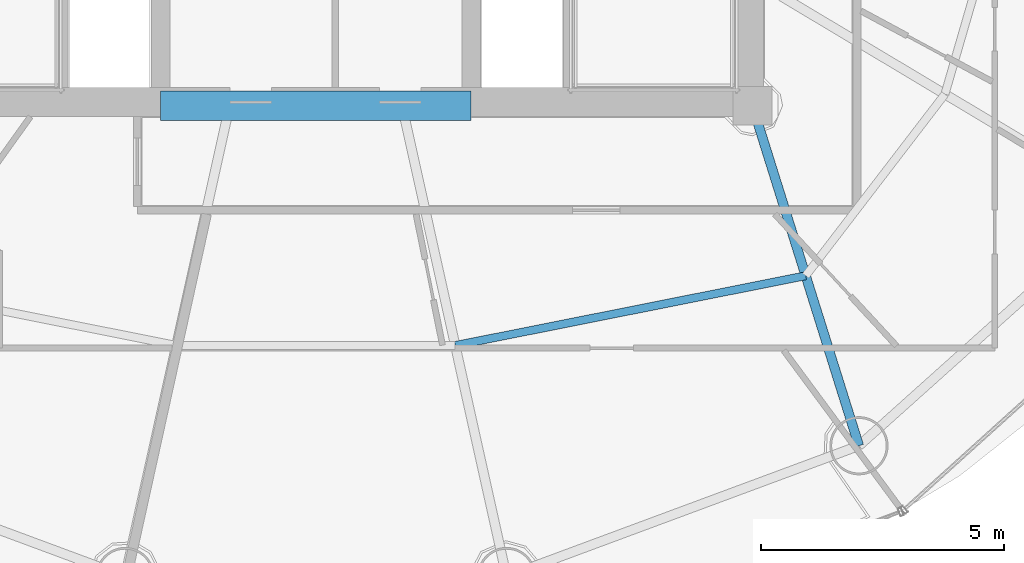
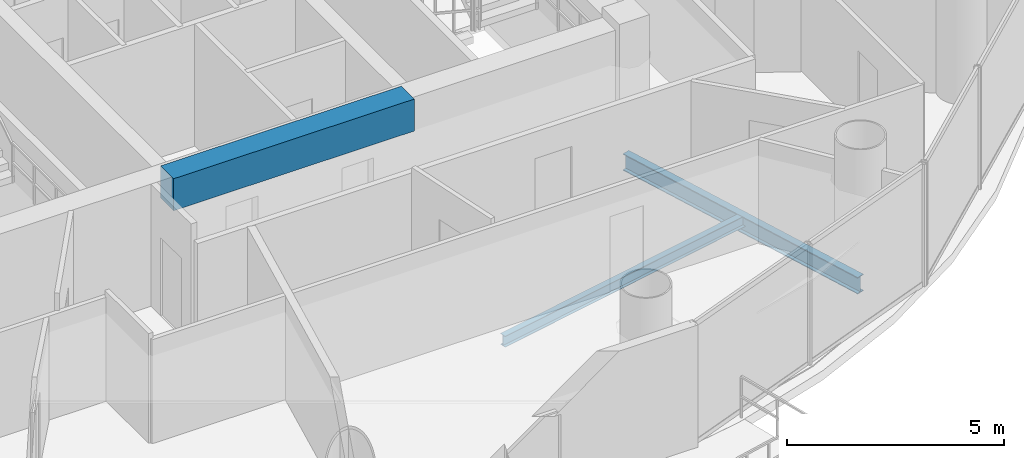
# One storey, part 6 of 26: 3 beams.
"""IFC4 building model written with IfcOpenShell, lengths in metres."""

from ifc_helpers import new_model, si_unit, direction, frame, origin, origin_2d, place, context, subcontext, project, spatial, rectangle, i_section, extrude, material, material_profile, profile_set, type_object, element, save


model = new_model("IFC4")

# Units and contexts
model_context = context("Model", 3, precision=1e-05, world=origin(), true_north=direction((-0.2419218956, 0.970295726276)))
body_context = subcontext(model_context, "Body", "Model", "MODEL_VIEW")
ifc_project = project(units=[si_unit("LENGTHUNIT", "METRE"), si_unit("AREAUNIT", "SQUARE_METRE"), si_unit("VOLUMEUNIT", "CUBIC_METRE"), si_unit("PLANEANGLEUNIT", "RADIAN"), si_unit("MASSUNIT", "GRAM", prefix="KILO")], contexts=[model_context])

# Site, building, storey
site_placement = place(None, origin())
site = spatial("IfcSite", under=ifc_project, at=site_placement, CompositionType="ELEMENT")
building_placement = place(site_placement, origin())
building = spatial("IfcBuilding", under=site, at=building_placement, Name="Cobrevalo Terracotta Tower", CompositionType="ELEMENT")
storey_placement = place(building_placement, frame((0.0, 0.0, 217.10009765625)))
storey = spatial("IfcBuildingStorey", under=building, at=storey_placement, Name="L57", CompositionType="ELEMENT", Elevation=217.10009765625)

# Beams
ifc_material_1 = material(Name="Concrete C60", Category="concrete")
ifc_material_profile_1 = material_profile(ifc_material_1, rectangle(XDim=0.60009765625, YDim=0.89990234375, at=origin_2d()), Name="RC CB 600x900")
ifc_profile_set_1 = profile_set([ifc_material_profile_1], Name="Concrete C60")
beam_type_1 = type_object("IfcBeamType", Name="Structural Beam RC CB 600x900 (Concrete C60)", PredefinedType="BEAM", material=ifc_profile_set_1)
beam_1_placement = place(storey_placement, frame((34.800048828125, 18.800048828125, 2.98486328125), z_axis=(1.0, 0.0, 0.0), x_axis=(0.0, 1.0, 0.0)))
element("IfcBeam", 1, at=beam_1_placement, inside=storey, type_object=beam_type_1, Name="L57 core coupling beam 1", PredefinedType="BEAM", context=body_context, shape_type="SweptSolid", body=[
    extrude(rectangle(XDim=0.60009765625, YDim=0.89990234375, at=origin_2d()), origin(), (0.0, 0.0, 1.0), 6.39990234375),
])
ifc_material_2 = material(Name="Steel S355", Category="steel")
ifc_material_profile_2 = material_profile(ifc_material_2, i_section(OverallWidth=0.194091796875, OverallDepth=0.468994140625, WebThickness=0.011474609375, FlangeThickness=0.0205078125, at=origin_2d()), Name="W 460x106")
ifc_profile_set_2 = profile_set([ifc_material_profile_2], Name="Steel S355")
beam_type_2 = type_object("IfcBeamType", Name="Structural Beam W 460x106 (Steel S355)", PredefinedType="BEAM", material=ifc_profile_set_2)
beam_2_placement = place(storey_placement, frame((49.19482421875, 11.7919921875, -0.49951171875), z_axis=(-0.298871212691, 0.954293454984, 0.0), x_axis=(-0.954293454984, -0.298871212691, 0.0)))
element("IfcBeam", 2, at=beam_2_placement, inside=storey, type_object=beam_type_2, Name="L57 radial floor girder 14", PredefinedType="BEAM", context=body_context, shape_type="SweptSolid", body=[
    extrude(i_section(OverallWidth=0.194091796875, OverallDepth=0.468994140625, WebThickness=0.011474609375, FlangeThickness=0.0205078125, at=origin_2d()), origin(), (0.0, 0.0, 1.0), 7.34375),
])
ifc_material_profile_3 = material_profile(ifc_material_2, i_section(OverallWidth=0.1650390625, OverallDepth=0.31005859375, WebThickness=0.005859375, FlangeThickness=0.009765625, at=origin_2d()), Name="W 310x38.7")
ifc_profile_set_3 = profile_set([ifc_material_profile_3], Name="Steel S355")
beam_type_3 = type_object("IfcBeamType", Name="Structural Joist W 310x38.7 (Steel S355)", PredefinedType="JOIST", material=ifc_profile_set_3)
beam_3_placement = place(storey_placement, frame((40.873779296875, 13.8583984375, -0.420166015625), z_axis=(0.980768907748, 0.195172614871, 0.0), x_axis=(-0.195172614871, 0.980768907748, 0.0)))
element("IfcBeam", 3, at=beam_3_placement, inside=storey, type_object=beam_type_3, Name="L57 circumferential secondary floor joist 13", PredefinedType="JOIST", context=body_context, shape_type="SweptSolid", body=[
    extrude(i_section(OverallWidth=0.1650390625, OverallDepth=0.31005859375, WebThickness=0.005859375, FlangeThickness=0.009765625, at=origin_2d()), origin(), (0.0, 0.0, 1.0), 7.365234375),
])

save(model, "model.ifc")
